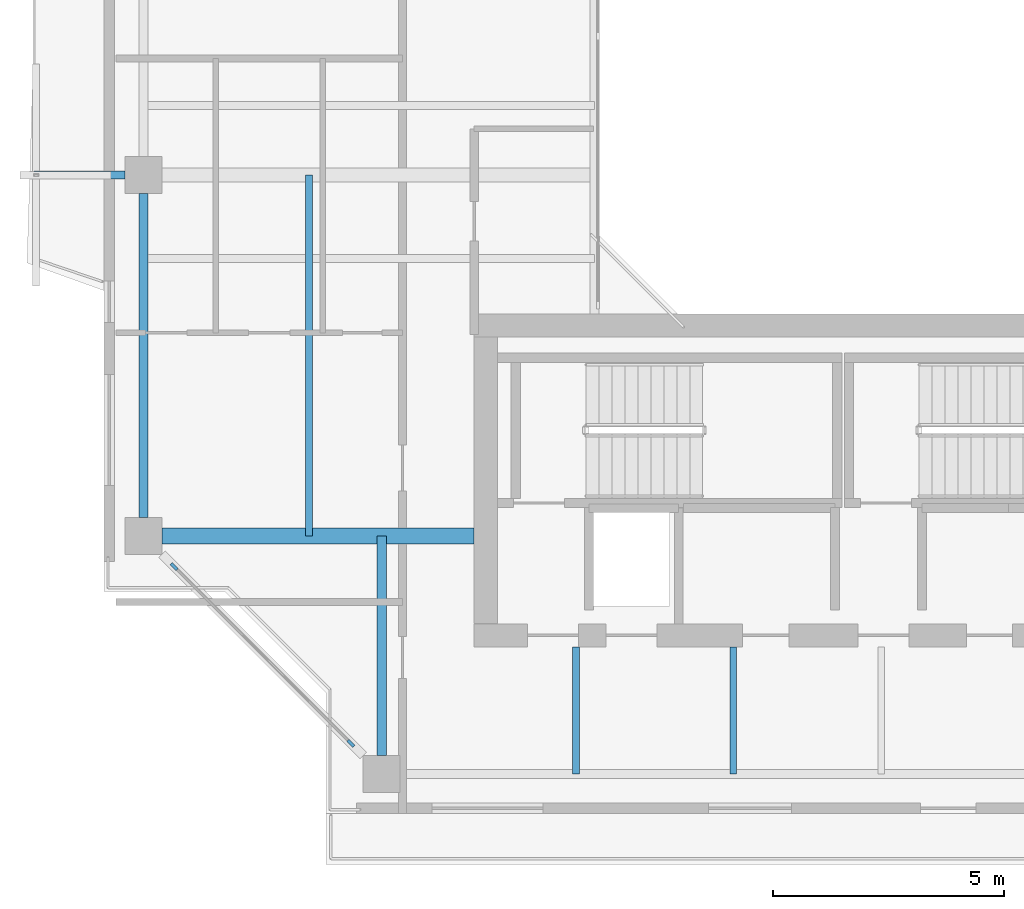
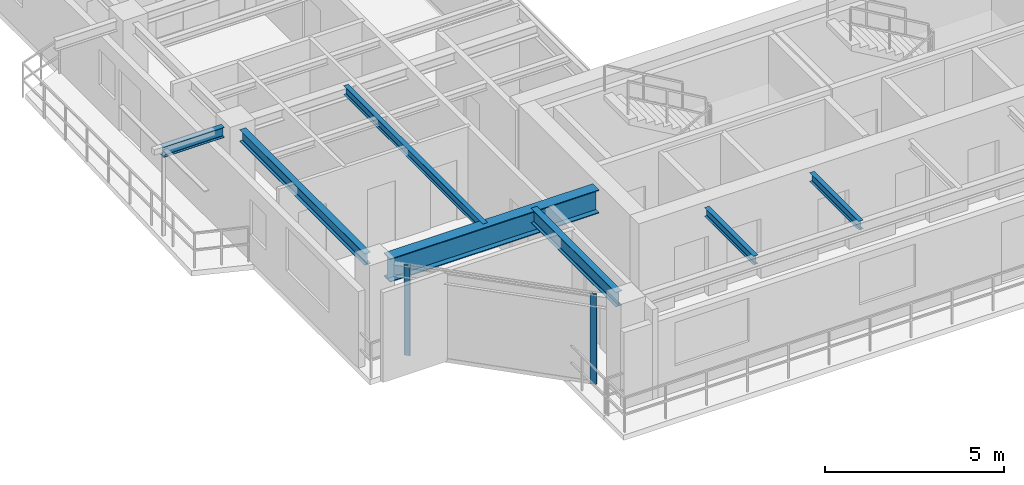
# One storey, part 2 of 16: 7 beams, 2 members, 1 element without a shape of its own.
"""IFC4 building model written with IfcOpenShell, lengths in metres."""

from ifc_helpers import new_model, si_unit, direction, frame, origin, origin_2d, place, context, subcontext, project, spatial, rectangle, i_section, extrude, source, transform, mapped, material, layer, layer_set, material_profile, profile_set, type_object, element, aggregate, save


model = new_model("IFC4")

# Units and contexts
model_context = context("Model", 3, precision=1e-05, world=origin(), true_north=direction((0.0, 1.0)))
body_context = subcontext(model_context, "Body", "Model", "MODEL_VIEW")
ifc_project = project(units=[si_unit("LENGTHUNIT", "METRE"), si_unit("AREAUNIT", "SQUARE_METRE"), si_unit("VOLUMEUNIT", "CUBIC_METRE"), si_unit("PLANEANGLEUNIT", "RADIAN"), si_unit("MASSUNIT", "GRAM", prefix="KILO"), si_unit("THERMODYNAMICTEMPERATUREUNIT", "KELVIN"), si_unit("POWERUNIT", "WATT")], contexts=[model_context])

# Site, building, storey
site_placement = place(None, origin())
site = spatial("IfcSite", under=ifc_project, at=site_placement, CompositionType="ELEMENT")
building_placement = place(site_placement, origin())
building = spatial("IfcBuilding", under=site, at=building_placement, Name="Qiaomeng Ring Towers", CompositionType="ELEMENT")
storey_placement = place(building_placement, frame((0.0, 0.0, 190.5)))
storey = spatial("IfcBuildingStorey", under=building, at=storey_placement, Name="L55", CompositionType="ELEMENT", Elevation=190.5)

# Beams
ifc_material_1 = material(Name="Steel Q355B", Category="steel")
ifc_material_profile_1 = material_profile(ifc_material_1, i_section(OverallWidth=0.198974609375, OverallDepth=0.39599609375, WebThickness=0.007080078125, FlangeThickness=0.010986328125, FilletRadius=0.01611328125, at=origin_2d()), Name="HN 396x199x7x11")
ifc_profile_set_1 = profile_set([ifc_material_profile_1], Name="Steel Q355B")
beam_type_1 = type_object("IfcBeamType", Name="STR-BM-HN396", PredefinedType="SPANDREL", material=ifc_profile_set_1)
shared_shape_1 = source(origin(), body_context, "Body", "SweptSolid", [
    extrude(i_section(OverallWidth=0.198974609375, OverallDepth=0.39599609375, WebThickness=0.007080078125, FlangeThickness=0.010986328125, FilletRadius=0.01611328125, at=origin_2d()), origin(), (0.0, 0.0, 1.0), 7.001953125),
])
beam_1_placement = place(storey_placement, frame((3.050048828125, 19.60107421875, 2.8720703125), z_axis=(0.0, -1.0, 0.0), x_axis=(1.0, 0.0, 0.0)))
element("IfcBeam", 1, at=beam_1_placement, inside=storey, type_object=beam_type_1, Name="L55 beam STR-SP-L55-T1-W2-W1", PredefinedType="SPANDREL", context=body_context, shape_type="MappedRepresentation", body=[
    mapped(shared_shape_1, transform((0.0, 0.0, 0.0), x_axis=(1.0, 0.0, 0.0), y_axis=(0.0, 1.0, 0.0), z_axis=(0.0, 0.0, 1.0), scale=1.0)),
])
ifc_material_2 = material(Name="Steel Q390GJC", Category="steel")
ifc_material_profile_2 = material_profile(ifc_material_2, i_section(OverallWidth=0.35009765625, OverallDepth=0.800048828125, WebThickness=0.01611328125, FlangeThickness=0.028076171875, at=origin_2d()), Name="WH 800x350x16x28")
ifc_profile_set_2 = profile_set([ifc_material_profile_2], Name="Steel Q390GJC")
beam_type_2 = type_object("IfcBeamType", Name="STR-BM-WH800", PredefinedType="BEAM", material=ifc_profile_set_2)
shared_shape_2 = source(origin(), body_context, "Body", "SweptSolid", [
    extrude(i_section(OverallWidth=0.35009765625, OverallDepth=0.800048828125, WebThickness=0.01611328125, FlangeThickness=0.028076171875, at=origin_2d()), origin(), (0.0, 0.0, 1.0), 6.7509765625),
])
beam_2_placement = place(storey_placement, frame((3.448974609375, 12.199951171875, 2.669921875), z_axis=(1.0, 0.0, 0.0), x_axis=(0.0, 1.0, 0.0)))
element("IfcBeam", 2, at=beam_2_placement, inside=storey, type_object=beam_type_2, Name="L55 beam STR-BM-L55-T1-RAD-W1", PredefinedType="BEAM", context=body_context, shape_type="MappedRepresentation", body=[
    mapped(shared_shape_2, transform((0.0, 0.0, 0.0), x_axis=(1.0, 0.0, 0.0), y_axis=(0.0, 1.0, 0.0), z_axis=(0.0, 0.0, 1.0), scale=1.0)),
])
ifc_material_profile_3 = material_profile(ifc_material_1, i_section(OverallWidth=0.199951171875, OverallDepth=0.5, WebThickness=0.010009765625, FlangeThickness=0.01611328125, FilletRadius=0.02001953125, at=origin_2d()), Name="HN 500x200x10x16")
ifc_profile_set_3 = profile_set([ifc_material_profile_3], Name="Steel Q355B")
beam_type_3 = type_object("IfcBeamType", Name="STR-BM-HN500", PredefinedType="BEAM", material=ifc_profile_set_3)
shared_shape_3 = source(origin(), body_context, "Body", "SweptSolid", [
    extrude(i_section(OverallWidth=0.199951171875, OverallDepth=0.5, WebThickness=0.010009765625, FlangeThickness=0.01611328125, FilletRadius=0.02001953125, at=origin_2d()), origin(), (0.0, 0.0, 1.0), 4.7509765625),
])
beam_3_placement = place(storey_placement, frame((8.199951171875, 7.448974609375, 2.820068359375), z_axis=(0.0, 1.0, 0.0), x_axis=(-1.0, 0.0, 0.0)))
element("IfcBeam", 3, at=beam_3_placement, inside=storey, type_object=beam_type_3, Name="L55 beam STR-BM-L55-T1-RAD-S1", PredefinedType="BEAM", context=body_context, shape_type="MappedRepresentation", body=[
    mapped(shared_shape_3, transform((0.0, 0.0, 0.0), x_axis=(1.0, 0.0, 0.0), y_axis=(0.0, 1.0, 0.0), z_axis=(0.0, 0.0, 1.0), scale=1.0)),
])
ifc_material_profile_4 = material_profile(ifc_material_1, i_section(OverallWidth=0.14990234375, OverallDepth=0.300048828125, WebThickness=0.006591796875, FlangeThickness=0.009033203125, FilletRadius=0.012939453125, at=origin_2d()), Name="HN 300x150x6.5x9")
ifc_profile_set_4 = profile_set([ifc_material_profile_4], Name="Steel Q355B")
beam_type_4 = type_object("IfcBeamType", Name="STR-BM-HN300", PredefinedType="JOIST", material=ifc_profile_set_4)
shared_shape_4 = source(origin(), body_context, "Body", "SweptSolid", [
    extrude(i_section(OverallWidth=0.14990234375, OverallDepth=0.300048828125, WebThickness=0.006591796875, FlangeThickness=0.009033203125, FilletRadius=0.012939453125, at=origin_2d()), origin(), (0.0, 0.0, 1.0), 2.75),
])
for number, where, z_axis, x_axis, name in (
    (4, (12.39990234375, 7.050048828125, 2.919921875), (0.0, 1.0, 0.0), (-1.0, 0.0, 0.0), "L55 beam STR-JST-L55-T1S-1"),
    (5, (15.800048828125, 7.050048828125, 2.919921875), (0.0, 1.0, 0.0), (-1.0, 0.0, 0.0), "L55 beam STR-JST-L55-T1S-2"),
):
    element("IfcBeam", number, at=place(storey_placement, frame(where, z_axis=z_axis, x_axis=x_axis)), inside=storey, type_object=beam_type_4, Name=name, PredefinedType="JOIST", context=body_context, shape_type="MappedRepresentation", body=[
        mapped(shared_shape_4, transform((0.0, 0.0, 0.0), x_axis=(1.0, 0.0, 0.0), y_axis=(0.0, 1.0, 0.0), z_axis=(0.0, 0.0, 1.0), scale=1.0)),
    ])
shared_shape_5 = source(origin(), body_context, "Body", "SweptSolid", [
    extrude(i_section(OverallWidth=0.14990234375, OverallDepth=0.300048828125, WebThickness=0.006591796875, FlangeThickness=0.009033203125, FilletRadius=0.012939453125, at=origin_2d()), origin(), (0.0, 0.0, 1.0), 7.800048828125),
])
beam_4_placement = place(storey_placement, frame((6.625, 12.199951171875, 2.919921875), z_axis=(0.0, 1.0, 0.0), x_axis=(-1.0, 0.0, 0.0)))
element("IfcBeam", 6, at=beam_4_placement, inside=storey, type_object=beam_type_4, Name="L55 beam STR-JST-L55-T1C-WS", PredefinedType="JOIST", context=body_context, shape_type="MappedRepresentation", body=[
    mapped(shared_shape_5, transform((0.0, 0.0, 0.0), x_axis=(1.0, 0.0, 0.0), y_axis=(0.0, 1.0, 0.0), z_axis=(0.0, 0.0, 1.0), scale=1.0)),
])
ifc_material_profile_5 = material_profile(ifc_material_1, i_section(OverallWidth=0.175048828125, OverallDepth=0.35009765625, WebThickness=0.007080078125, FlangeThickness=0.010986328125, FilletRadius=0.013916015625, at=origin_2d()), Name="HN 350x175x7x11")
ifc_profile_set_5 = profile_set([ifc_material_profile_5], Name="Steel Q355B")
beam_type_5 = type_object("IfcBeamType", Name="STR-BM-HN350", PredefinedType="JOIST", material=ifc_profile_set_5)
shared_shape_6 = source(origin(), body_context, "Body", "SweptSolid", [
    extrude(i_section(OverallWidth=0.175048828125, OverallDepth=0.35009765625, WebThickness=0.007080078125, FlangeThickness=0.010986328125, FilletRadius=0.013916015625, at=origin_2d()), origin(), (0.0, 0.0, 1.0), 1.970947265625),
])
beam_5_placement = place(storey_placement, frame((0.679931640625, 20.0, 2.89501953125), z_axis=(1.0, 0.0, 0.0), x_axis=(0.0, 1.0, 0.0)))
element("IfcBeam", 7, at=beam_5_placement, inside=storey, type_object=beam_type_5, Name="L55 beam STR-BALBM-L55-W2", PredefinedType="JOIST", context=body_context, shape_type="MappedRepresentation", body=[
    mapped(shared_shape_6, transform((0.0, 0.0, 0.0), x_axis=(1.0, 0.0, 0.0), y_axis=(0.0, 1.0, 0.0), z_axis=(0.0, 0.0, 1.0), scale=1.0)),
])

# Curtain wall, members
ifc_material_3 = material(Name="Fluorocarbon dark-grey aluminium", Category="aluminium")
ifc_layer = layer(ifc_material_3, 0.14990234375, Name="Fluorocarbon dark-grey aluminium")
ifc_layer_set = layer_set([ifc_layer], Name="Fluorocarbon dark-grey aluminium")
curtain_wall_type = type_object("IfcCurtainWallType", Name="ARC-CW-3", PredefinedType="NOTDEFINED", material=ifc_layer_set)
curtain_wall_placement = place(storey_placement, origin())
curtain_wall = element("IfcCurtainWall", 8, at=curtain_wall_placement, inside=storey, type_object=curtain_wall_type, Name="L55 Curtain Wall CW3", PredefinedType="NOTDEFINED")
ifc_material_profile_6 = material_profile(ifc_material_3, rectangle(XDim=0.070068359375, YDim=0.179931640625, at=origin_2d()), Name="ALU MULL 70x180")
ifc_profile_set_6 = profile_set([ifc_material_profile_6], Name="Fluorocarbon dark-grey aluminium")
member_type = type_object("IfcMemberType", Name="ARC-CWM-160", PredefinedType="MULLION", material=ifc_profile_set_6)
shared_shape_7 = source(origin(), body_context, "Body", "SweptSolid", [
    extrude(rectangle(XDim=0.070068359375, YDim=0.179931640625, at=origin_2d()), origin(), (0.0, 0.0, 1.0), 3.070068359375),
])
member_1_placement = place(storey_placement, frame((3.71484375, 11.53515625, 0.0), z_axis=(0.0, 0.0, 1.0), x_axis=(0.707106781187, 0.707106781187, 0.0)))
member_1 = element("IfcMember", 9, at=member_1_placement, type_object=member_type, Name="CW3 mullion 1", PredefinedType="MULLION", context=body_context, shape_type="MappedRepresentation", body=[
    mapped(shared_shape_7, transform((0.0, 0.0, 0.0), x_axis=(1.0, 0.0, 0.0), y_axis=(0.0, 1.0, 0.0), z_axis=(0.0, 0.0, 1.0), scale=1.0)),
])
member_2_placement = place(storey_placement, frame((7.53515625, 7.71484375, 0.0), z_axis=(0.0, 0.0, 1.0), x_axis=(0.707106781187, 0.707106781187, 0.0)))
member_2 = element("IfcMember", 10, at=member_2_placement, type_object=member_type, Name="CW3 mullion 2", PredefinedType="MULLION", context=body_context, shape_type="MappedRepresentation", body=[
    mapped(shared_shape_7, transform((0.0, 0.0, 0.0), x_axis=(1.0, 0.0, 0.0), y_axis=(0.0, 1.0, 0.0), z_axis=(0.0, 0.0, 1.0), scale=1.0)),
])
aggregate(curtain_wall, [member_1, member_2])

save(model, "model.ifc")
